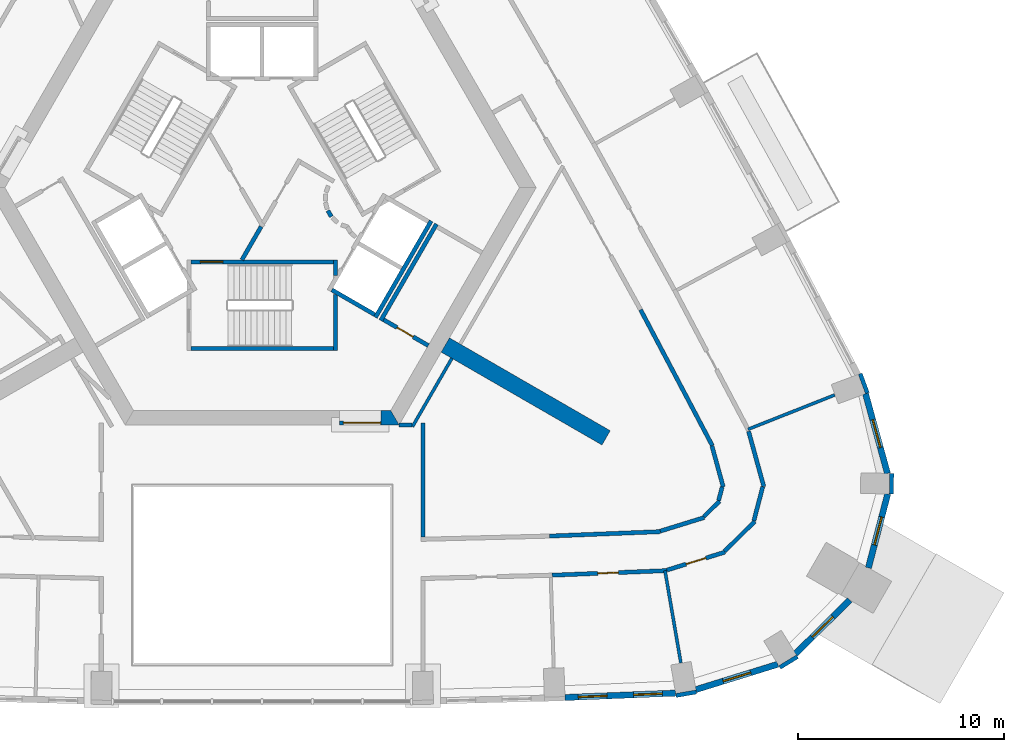
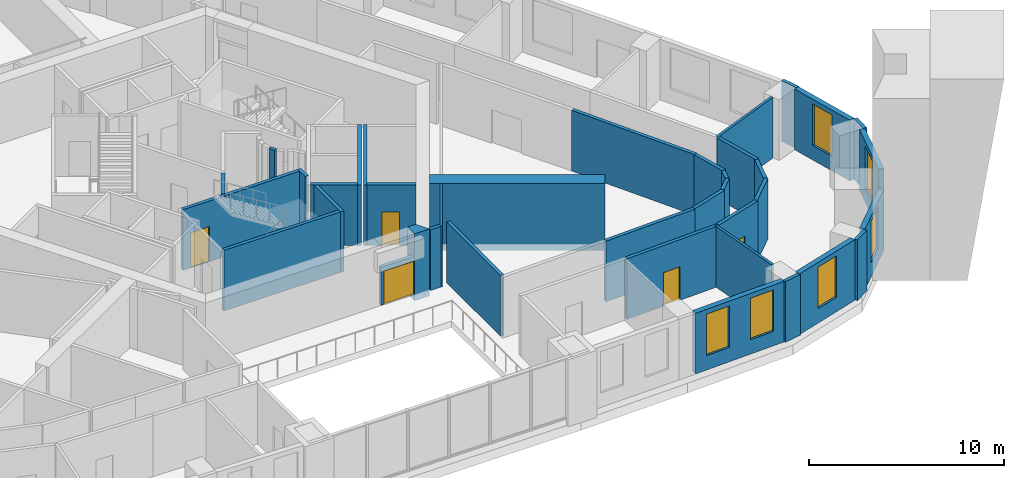
# One storey, part 6 of 13: 38 walls, 6 windows, 5 doors, 11 openings.
"""IFC4 building model written with IfcOpenShell, lengths in metres."""

from ifc_helpers import new_model, si_unit, direction, frame, frame_2d, origin, place, context, subcontext, project, spatial, polyline, rectangle, outline, extrude, material, layer, layer_set, type_object, element, fill, save


model = new_model("IFC4")

# Units and contexts
model_context = context("Model", 3, precision=1e-05, world=origin(), true_north=direction((0.0, 1.0)))
body_context = subcontext(model_context, "Body", "Model", "MODEL_VIEW")
ifc_project = project(units=[si_unit("LENGTHUNIT", "METRE"), si_unit("AREAUNIT", "SQUARE_METRE"), si_unit("VOLUMEUNIT", "CUBIC_METRE"), si_unit("PLANEANGLEUNIT", "RADIAN"), si_unit("MASSUNIT", "GRAM", prefix="KILO")], contexts=[model_context])

# Site, building, storey
site_placement = place(None, origin())
site = spatial("IfcSite", under=ifc_project, at=site_placement, CompositionType="ELEMENT")
building_placement = place(site_placement, origin())
building = spatial("IfcBuilding", under=site, at=building_placement, Name="Entoto Arch Interchange Tower", CompositionType="ELEMENT")
storey_placement = place(building_placement, frame((0.0, 0.0, 202.39990234375)))
storey = spatial("IfcBuildingStorey", under=building, at=storey_placement, Name="L45", CompositionType="ELEMENT", Elevation=202.39990234375)

# Wall
ifc_material_1 = material(Name="Concrete C50/60", Category="concrete")
ifc_layer_1 = layer(ifc_material_1, 0.800048828125)
ifc_layer_set_1 = layer_set([ifc_layer_1], Name="Concrete C50/60")
wall_type_1 = type_object("IfcWallType", Name="Buttress wall 800 C50/60", PredefinedType="SHEAR", material=ifc_layer_set_1)
wall_1_placement = place(storey_placement, frame((8.876953125, -5.125, -0.39990234375), z_axis=(0.0, 0.0, 1.0), x_axis=(0.866017533419, -0.500013631625, 0.0)))
element("IfcWall", 1, at=wall_1_placement, inside=storey, type_object=wall_type_1, Name="Buttress wall SE L45", PredefinedType="SHEAR", context=body_context, shape_type="SweptSolid", body=[
    extrude(rectangle(XDim=8.999755859375, YDim=0.800048828125, at=frame_2d((4.5, 0.0))), origin(), (0.0, 0.0, 1.0), 4.199951171875),
])

# Wall, opening, door
ifc_material_2 = material(Name="Reinforced concrete C40/50", Category="concrete")
ifc_layer_2 = layer(ifc_material_2, 0.199951171875)
ifc_layer_set_2 = layer_set([ifc_layer_2], Name="Reinforced concrete C40/50")
wall_type_2 = type_object("IfcWallType", Name="CORE GAP INFILL WALL", PredefinedType="PARTITIONING", material=ifc_layer_set_2)
wall_2_placement = place(storey_placement, frame((3.75, -8.89990234375, 0.0), z_axis=(0.0, 0.0, 1.0), x_axis=(1.0, 0.0, 0.0)))
wall_2 = element("IfcWall", 2, at=wall_2_placement, inside=storey, type_object=wall_type_2, Name="wall:L45:gap1", PredefinedType="PARTITIONING", context=body_context, shape_type="SweptSolid", body=[
    extrude(rectangle(XDim=2.0, YDim=0.199951171875, at=frame_2d((1.0, 0.0))), origin(), (0.0, 0.0, 1.0), 2.400146484375),
])
opening_1_placement = place(wall_2_placement, frame((0.18994140625, 0.0, 0.0)))
opening_1 = element("IfcOpeningElement", 3, at=opening_1_placement, cuts=wall_2, Name="Opening L45-D91", PredefinedType="OPENING", context=body_context, shape_type="SweptSolid", body=[
    extrude(rectangle(XDim=1.800048828125, YDim=2.10009765625, at=frame_2d((0.89990234375, 1.050048828125))), frame((0.0, 0.10986328125, 0.0), z_axis=(0.0, -1.0, 0.0), x_axis=(1.0, 0.0, 0.0)), (0.0, 0.0, 1.0), 0.219970703125),
])
ifc_material_3 = material(Name="Fire-rated Steel S235 door and frame", Category="steel")
door_type_1 = type_object("IfcDoorType", Name="DOOR FD-18 1800x2100", OperationType="DOUBLE_DOOR_SINGLE_SWING", PredefinedType="DOOR", material=ifc_material_3)
door_1_placement = place(opening_1_placement, origin())
door_1 = element("IfcDoor", 4, at=door_1_placement, inside=storey, type_object=door_type_1, Name="door:L45:gap1", OperationType="DOUBLE_DOOR_SINGLE_SWING", OverallHeight=2.10009765625, OverallWidth=1.800048828125, PredefinedType="DOOR", context=body_context, shape_type="SweptSolid", body=[
    extrude(rectangle(XDim=1.800048828125, YDim=2.10009765625, at=frame_2d((0.89990234375, 1.050048828125))), frame((0.0, 0.02490234375, 0.0), z_axis=(0.0, -1.0, 0.0), x_axis=(1.0, 0.0, 0.0)), (0.0, 0.0, 1.0), 0.050048828125),
])
fill(opening_1, door_1)

# Walls
ifc_layer_3 = layer(ifc_material_1, 0.699951171875)
ifc_layer_set_3 = layer_set([ifc_layer_3], Name="Concrete C50/60")
wall_type_3 = type_object("IfcWallType", Name="Core wall 700 C50/60", PredefinedType="SHEAR", material=ifc_layer_set_3)
wall_3_placement = place(storey_placement, frame((0.0, 0.0, -0.39990234375)))
element("IfcWall", 5, at=wall_3_placement, inside=storey, type_object=wall_type_3, Name="Core wall S L45", PredefinedType="SHEAR", context=body_context, shape_type="SweptSolid", body=[
    extrude(outline(polyline([(5.75, -8.300048828125), (5.75, -9.0), (6.639892578125, -9.0), (6.235107421875, -8.300048828125), (5.75, -8.300048828125)])), origin(), (0.0, 0.0, 1.0), 4.199951171875),
])
ifc_material_4 = material(Name="Concrete C40/50", Category="concrete")
ifc_layer_4 = layer(ifc_material_4, 0.199951171875)
ifc_layer_set_4 = layer_set([ifc_layer_4], Name="Concrete C40/50")
wall_type_4 = type_object("IfcWallType", Name="LIFT SHAFT WALL 200", PredefinedType="STANDARD", material=ifc_layer_set_4)
wall_4_placement = place(storey_placement, frame((5.491943359375, -3.7880859375, 0.0), z_axis=(0.0, 0.0, 1.0), x_axis=(0.500034260056, 0.866005622828, 0.0)))
element("IfcWall", 6, at=wall_4_placement, inside=storey, type_object=wall_type_4, Name="Shaft wall SE1 back", PredefinedType="STANDARD", context=body_context, shape_type="SweptSolid", body=[
    extrude(rectangle(XDim=5.3994140625, YDim=0.199951171875, at=frame_2d((2.69970703125, 0.0))), origin(), (0.0, 0.0, 1.0), 3.800048828125),
])
wall_5_placement = place(storey_placement, frame((3.376953125, -2.451904296875, 0.0), z_axis=(0.0, 0.0, 1.0), x_axis=(0.865955154139, -0.50012165622, 0.0)))
element("IfcWall", 7, at=wall_5_placement, inside=storey, type_object=wall_type_4, Name="Shaft wall SE1 cross 1", PredefinedType="STANDARD", context=body_context, shape_type="SweptSolid", body=[
    extrude(rectangle(XDim=2.39990234375, YDim=0.199951171875, at=frame_2d((1.199951171875, 0.0))), origin(), (0.0, 0.0, 1.0), 3.800048828125),
])
ifc_material_5 = material(Name="Gypsum board partition on steel studs", Category="steel")
ifc_layer_5 = layer(ifc_material_5, 0.14990234375)
ifc_layer_set_5 = layer_set([ifc_layer_5], Name="Gypsum board partition on steel studs")
wall_type_5 = type_object("IfcWallType", Name="PARTITION 150", PredefinedType="PARTITIONING", material=ifc_layer_set_5)
wall_6_placement = place(storey_placement, frame((7.282958984375, -9.0859375, 0.0), z_axis=(0.0, 0.0, 1.0), x_axis=(0.500035303972, 0.866005020067, 0.0)))
element("IfcWall", 8, at=wall_6_placement, inside=storey, type_object=wall_type_5, Name="wall:L45:p078", PredefinedType="PARTITIONING", context=body_context, shape_type="SweptSolid", body=[
    extrude(rectangle(XDim=3.827880859375, YDim=0.14990234375, at=frame_2d((1.9140625, 0.0))), origin(), (0.0, 0.0, 1.0), 3.800048828125),
])
wall_7_placement = place(storey_placement, frame((19.527099609375, -16.06494140625, 0.0), z_axis=(0.0, 0.0, 1.0), x_axis=(0.169437821314, -0.985540879268, 0.0)))
element("IfcWall", 9, at=wall_7_placement, inside=storey, type_object=wall_type_5, Name="wall:L45:p110", PredefinedType="PARTITIONING", context=body_context, shape_type="SweptSolid", body=[
    extrude(rectangle(XDim=4.531494140625, YDim=0.14990234375, at=frame_2d((2.265625, 0.0))), origin(), (0.0, 0.0, 1.0), 3.800048828125),
])
wall_8_placement = place(storey_placement, frame((23.552001953125, -9.2119140625, 0.0), z_axis=(0.0, 0.0, 1.0), x_axis=(0.929720624715, 0.368265610639, 0.0)))
element("IfcWall", 10, at=wall_8_placement, inside=storey, type_object=wall_type_5, Name="wall:L45:p111", PredefinedType="PARTITIONING", context=body_context, shape_type="SweptSolid", body=[
    extrude(rectangle(XDim=4.515380859375, YDim=0.14990234375, at=frame_2d((2.2578125, 0.0))), origin(), (0.0, 0.0, 1.0), 3.800048828125),
])
ifc_layer_6 = layer(ifc_material_5, 0.199951171875)
ifc_layer_set_6 = layer_set([ifc_layer_6], Name="Gypsum board partition on steel studs")
wall_type_6 = type_object("IfcWallType", Name="PARTITION 200", PredefinedType="PARTITIONING", material=ifc_layer_set_6)
wall_9_placement = place(storey_placement, frame((13.925048828125, -14.386962890625, 0.0), z_axis=(0.0, 0.0, 1.0), x_axis=(0.999202986342, 0.039917315597, 0.0)))
element("IfcWall", 11, at=wall_9_placement, inside=storey, type_object=wall_type_6, Name="wall:L45:p016", PredefinedType="PARTITIONING", context=body_context, shape_type="SweptSolid", body=[
    extrude(rectangle(XDim=5.38232421875, YDim=0.199951171875, at=frame_2d((2.691162109375, 0.0))), origin(), (0.0, 0.0, 1.0), 3.800048828125),
])
wall_10_placement = place(storey_placement, frame((19.299072265625, -14.14697265625, 0.0), z_axis=(0.0, 0.0, 1.0), x_axis=(0.955241047187, 0.295828568211, 0.0)))
element("IfcWall", 12, at=wall_10_placement, inside=storey, type_object=wall_type_6, Name="wall:L45:p017", PredefinedType="PARTITIONING", context=body_context, shape_type="SweptSolid", body=[
    extrude(rectangle(XDim=2.234130859375, YDim=0.199951171875, at=frame_2d((1.1171875, 0.0))), origin(), (0.0, 0.0, 1.0), 3.800048828125),
])
wall_11_placement = place(storey_placement, frame((21.407958984375, -13.445068359375, 0.0), z_axis=(0.0, 0.0, 1.0), x_axis=(0.711298443117, 0.702890122863, 0.0)))
element("IfcWall", 13, at=wall_11_placement, inside=storey, type_object=wall_type_6, Name="wall:L45:p018", PredefinedType="PARTITIONING", context=body_context, shape_type="SweptSolid", body=[
    extrude(rectangle(XDim=1.07421875, YDim=0.199951171875, at=frame_2d((0.537109375, 0.0))), origin(), (0.0, 0.0, 1.0), 3.800048828125),
])
wall_12_placement = place(storey_placement, frame((22.1259765625, -12.6640625, 0.0), z_axis=(0.0, 0.0, 1.0), x_axis=(0.253079435581, 0.967445501972, 0.0)))
element("IfcWall", 14, at=wall_12_placement, inside=storey, type_object=wall_type_6, Name="wall:L45:p019", PredefinedType="PARTITIONING", context=body_context, shape_type="SweptSolid", body=[
    extrude(rectangle(XDim=0.68017578125, YDim=0.199951171875, at=frame_2d((0.340087890625, 0.0))), origin(), (0.0, 0.0, 1.0), 3.800048828125),
])
wall_13_placement = place(storey_placement, frame((22.35009765625, -12.006103515625, 0.0), z_axis=(0.0, 0.0, 1.0), x_axis=(-0.265584627827, 0.964087550725, 0.0)))
element("IfcWall", 15, at=wall_13_placement, inside=storey, type_object=wall_type_6, Name="wall:L45:p020", PredefinedType="PARTITIONING", context=body_context, shape_type="SweptSolid", body=[
    extrude(rectangle(XDim=2.0673828125, YDim=0.199951171875, at=frame_2d((1.03369140625, 0.0))), origin(), (0.0, 0.0, 1.0), 3.800048828125),
])
wall_14_placement = place(storey_placement, frame((21.821044921875, -10.0048828125, 0.0), z_axis=(0.0, 0.0, 1.0), x_axis=(-0.466770012358, 0.884378739887, 0.0)))
element("IfcWall", 16, at=wall_14_placement, inside=storey, type_object=wall_type_6, Name="wall:L45:p021", PredefinedType="PARTITIONING", context=body_context, shape_type="SweptSolid", body=[
    extrude(rectangle(XDim=7.44921875, YDim=0.199951171875, at=frame_2d((3.724609375, 0.0))), origin(), (0.0, 0.0, 1.0), 3.800048828125),
])

# Wall, opening, door
wall_15_placement = place(storey_placement, frame((19.626953125, -16.06103515625, 0.0), z_axis=(0.0, 0.0, 1.0), x_axis=(-0.999206061563, -0.039840262741, 0.0)))
wall_15 = element("IfcWall", 17, at=wall_15_placement, inside=storey, type_object=wall_type_6, Name="wall:L45:p038", PredefinedType="PARTITIONING", context=body_context, shape_type="SweptSolid", body=[
    extrude(rectangle(XDim=5.5703125, YDim=0.199951171875, at=frame_2d((2.78515625, 0.0))), origin(), (0.0, 0.0, 1.0), 3.800048828125),
])
opening_2_placement = place(wall_15_placement, frame((2.360107421875, 0.0, 0.0)))
opening_2 = element("IfcOpeningElement", 18, at=opening_2_placement, cuts=wall_15, Name="Opening L45-D02", PredefinedType="OPENING", context=body_context, shape_type="SweptSolid", body=[
    extrude(rectangle(XDim=1.0, YDim=2.10009765625, at=frame_2d((0.5, 1.050048828125))), frame((0.0, 0.10986328125, 0.0), z_axis=(0.0, -1.0, 0.0), x_axis=(1.0, 0.0, 0.0)), (0.0, 0.0, 1.0), 0.219970703125),
])
ifc_material_6 = material(Name="Timber door leaf in Steel S235 frame", Category="steel")
door_type_2 = type_object("IfcDoorType", Name="DOOR DS-10 1000x2100", OperationType="SINGLE_SWING_LEFT", PredefinedType="DOOR", material=ifc_material_6)
door_2_placement = place(opening_2_placement, origin())
door_2 = element("IfcDoor", 19, at=door_2_placement, inside=storey, type_object=door_type_2, Name="door:L45:02", OperationType="SINGLE_SWING_LEFT", OverallHeight=2.10009765625, OverallWidth=1.0, PredefinedType="DOOR", context=body_context, shape_type="SweptSolid", body=[
    extrude(rectangle(XDim=1.0, YDim=2.10009765625, at=frame_2d((0.5, 1.050048828125))), frame((0.0, 0.02490234375, 0.0), z_axis=(0.0, -1.0, 0.0), x_axis=(1.0, 0.0, 0.0)), (0.0, 0.0, 1.0), 0.050048828125),
])
fill(opening_2, door_2)

# Walls
wall_16_placement = place(storey_placement, frame((23.577880859375, -9.30908203125, 0.0), z_axis=(0.0, 0.0, 1.0), x_axis=(0.265884037198, -0.964005020092, 0.0)))
element("IfcWall", 20, at=wall_16_placement, inside=storey, type_object=wall_type_6, Name="wall:L45:p039", PredefinedType="PARTITIONING", context=body_context, shape_type="SweptSolid", body=[
    extrude(rectangle(XDim=2.783935546875, YDim=0.199951171875, at=frame_2d((1.39208984375, 0.0))), origin(), (0.0, 0.0, 1.0), 3.800048828125),
])
wall_17_placement = place(storey_placement, frame((24.26611328125, -11.992919921875, 0.0), z_axis=(0.0, 0.0, 1.0), x_axis=(-0.253025690571, -0.967459559832, 0.0)))
element("IfcWall", 21, at=wall_17_placement, inside=storey, type_object=wall_type_6, Name="wall:L45:p040", PredefinedType="PARTITIONING", context=body_context, shape_type="SweptSolid", body=[
    extrude(rectangle(XDim=1.711669921875, YDim=0.199951171875, at=frame_2d((0.85595703125, 0.0))), origin(), (0.0, 0.0, 1.0), 3.800048828125),
])
wall_18_placement = place(storey_placement, frame((23.8779296875, -13.675048828125, 0.0), z_axis=(0.0, 0.0, 1.0), x_axis=(-0.710949827962, -0.703242733429, 0.0)))
element("IfcWall", 22, at=wall_18_placement, inside=storey, type_object=wall_type_6, Name="wall:L45:p041", PredefinedType="PARTITIONING", context=body_context, shape_type="SweptSolid", body=[
    extrude(rectangle(XDim=2.05908203125, YDim=0.199951171875, at=frame_2d((1.029541015625, 0.0))), origin(), (0.0, 0.0, 1.0), 3.800048828125),
])

# Wall, opening, door
wall_19_placement = place(storey_placement, frame((22.43798828125, -15.1630859375, 0.0), z_axis=(0.0, 0.0, 1.0), x_axis=(-0.955234616163, -0.295849333419, 0.0)))
wall_19 = element("IfcWall", 23, at=wall_19_placement, inside=storey, type_object=wall_type_6, Name="wall:L45:p042", PredefinedType="PARTITIONING", context=body_context, shape_type="SweptSolid", body=[
    extrude(rectangle(XDim=2.94677734375, YDim=0.199951171875, at=frame_2d((1.473388671875, 0.0))), origin(), (0.0, 0.0, 1.0), 3.800048828125),
])
opening_3_placement = place(wall_19_placement, frame((0.97412109375, 0.0, 0.0)))
opening_3 = element("IfcOpeningElement", 24, at=opening_3_placement, cuts=wall_19, Name="Opening L45-D03", PredefinedType="OPENING", context=body_context, shape_type="SweptSolid", body=[
    extrude(rectangle(XDim=1.0, YDim=2.10009765625, at=frame_2d((0.5, 1.050048828125))), frame((0.0, 0.10986328125, 0.0), z_axis=(0.0, -1.0, 0.0), x_axis=(1.0, 0.0, 0.0)), (0.0, 0.0, 1.0), 0.219970703125),
])
door_3_placement = place(opening_3_placement, origin())
door_3 = element("IfcDoor", 25, at=door_3_placement, inside=storey, type_object=door_type_2, Name="door:L45:03", OperationType="SINGLE_SWING_LEFT", OverallHeight=2.10009765625, OverallWidth=1.0, PredefinedType="DOOR", context=body_context, shape_type="SweptSolid", body=[
    extrude(rectangle(XDim=1.0, YDim=2.10009765625, at=frame_2d((0.5, 1.050048828125))), frame((0.0, 0.02490234375, 0.0), z_axis=(0.0, -1.0, 0.0), x_axis=(1.0, 0.0, 0.0)), (0.0, 0.0, 1.0), 0.050048828125),
])
fill(opening_3, door_3)

wall_20_placement = place(storey_placement, frame((8.052978515625, -5.152099609375, 0.0), z_axis=(0.0, 0.0, 1.0), x_axis=(-0.866022959057, 0.500004234368, 0.0)))
wall_20 = element("IfcWall", 26, at=wall_20_placement, inside=storey, type_object=wall_type_6, Name="wall:L45:p069", PredefinedType="PARTITIONING", context=body_context, shape_type="SweptSolid", body=[
    extrude(rectangle(XDim=2.5, YDim=0.199951171875, at=frame_2d((1.25, 0.0))), origin(), (0.0, 0.0, 1.0), 3.800048828125),
])
opening_4_placement = place(wall_20_placement, frame((0.85009765625, 0.0, 0.0)))
opening_4 = element("IfcOpeningElement", 27, at=opening_4_placement, cuts=wall_20, Name="Opening L45-D30", PredefinedType="OPENING", context=body_context, shape_type="SweptSolid", body=[
    extrude(rectangle(XDim=0.89990234375, YDim=2.10009765625, at=frame_2d((0.449951171875, 1.050048828125))), frame((0.0, 0.10986328125, 0.0), z_axis=(0.0, -1.0, 0.0), x_axis=(1.0, 0.0, 0.0)), (0.0, 0.0, 1.0), 0.219970703125),
])
door_type_3 = type_object("IfcDoorType", Name="DOOR DS-09 900x2100", OperationType="SINGLE_SWING_LEFT", PredefinedType="DOOR", material=ifc_material_6)
door_4_placement = place(opening_4_placement, origin())
door_4 = element("IfcDoor", 28, at=door_4_placement, inside=storey, type_object=door_type_3, Name="door:L45:30", OperationType="SINGLE_SWING_LEFT", OverallHeight=2.10009765625, OverallWidth=0.89990234375, PredefinedType="DOOR", context=body_context, shape_type="SweptSolid", body=[
    extrude(rectangle(XDim=0.89990234375, YDim=2.10009765625, at=frame_2d((0.449951171875, 1.050048828125))), frame((0.0, 0.02490234375, 0.0), z_axis=(0.0, -1.0, 0.0), x_axis=(1.0, 0.0, 0.0)), (0.0, 0.0, 1.0), 0.050048828125),
])
fill(opening_4, door_4)

# Walls
wall_21_placement = place(storey_placement, frame((5.7509765625, -3.93798828125, 0.0), z_axis=(0.0, 0.0, 1.0), x_axis=(0.500034260056, 0.866005622828, 0.0)))
element("IfcWall", 29, at=wall_21_placement, inside=storey, type_object=wall_type_6, Name="wall:L45:p070", PredefinedType="PARTITIONING", context=body_context, shape_type="SweptSolid", body=[
    extrude(rectangle(XDim=5.3994140625, YDim=0.199951171875, at=frame_2d((2.69970703125, 0.0))), origin(), (0.0, 0.0, 1.0), 3.800048828125),
])
wall_22_placement = place(storey_placement, frame((6.64111328125, -8.9990234375, 0.0), z_axis=(0.0, 0.0, 1.0), x_axis=(1.0, 0.0, 0.0)))
element("IfcWall", 30, at=wall_22_placement, inside=storey, type_object=wall_type_6, Name="wall:L45:p077", PredefinedType="PARTITIONING", context=body_context, shape_type="SweptSolid", body=[
    extrude(rectangle(XDim=0.616943359375, YDim=0.199951171875, at=frame_2d((0.30859375, 0.0))), origin(), (0.0, 0.0, 1.0), 3.800048828125),
])
wall_23_placement = place(storey_placement, frame((-0.98193359375, -1.0, 0.0), z_axis=(0.0, 0.0, 1.0), x_axis=(0.50024047865, 0.865886518847, 0.0)))
element("IfcWall", 31, at=wall_23_placement, inside=storey, type_object=wall_type_6, Name="wall:L45:p079", PredefinedType="PARTITIONING", context=body_context, shape_type="SweptSolid", body=[
    extrude(rectangle(XDim=1.86279296875, YDim=0.199951171875, at=frame_2d((0.931396484375, 0.0))), origin(), (0.0, 0.0, 1.0), 3.800048828125),
])
wall_24_placement = place(storey_placement, frame((3.181884765625, 1.387939453125, 0.0), z_axis=(0.0, 0.0, 1.0), x_axis=(0.512474702713, -0.85870232274, 0.0)))
element("IfcWall", 32, at=wall_24_placement, inside=storey, type_object=wall_type_6, Name="wall:L45:p085", PredefinedType="PARTITIONING", context=body_context, shape_type="SweptSolid", body=[
    extrude(rectangle(XDim=0.337646484375, YDim=0.199951171875, at=frame_2d((0.1689453125, 0.0))), origin(), (0.0, 0.0, 1.0), 3.800048828125),
])
wall_25_placement = place(storey_placement, frame((7.800048828125, -8.89892578125, 0.0), z_axis=(0.0, 0.0, 1.0), x_axis=(0.0, -1.0, 0.0)))
element("IfcWall", 33, at=wall_25_placement, inside=storey, type_object=wall_type_6, Name="wall:L45:p091", PredefinedType="PARTITIONING", context=body_context, shape_type="SweptSolid", body=[
    extrude(rectangle(XDim=5.5419921875, YDim=0.199951171875, at=frame_2d((2.77099609375, 0.0))), origin(), (0.0, 0.0, 1.0), 3.800048828125),
])
ifc_layer_7 = layer(ifc_material_4, 0.199951171875)
ifc_layer_set_7 = layer_set([ifc_layer_7], Name="Concrete C40/50")
wall_type_7 = type_object("IfcWallType", Name="STAIR ENCLOSURE WALL 200", PredefinedType="STANDARD", material=ifc_layer_set_7)
wall_26_placement = place(storey_placement, frame((3.550048828125, -2.6669921875, 0.0), z_axis=(0.0, 0.0, 1.0), x_axis=(0.0, -1.0, 0.0)))
element("IfcWall", 34, at=wall_26_placement, inside=storey, type_object=wall_type_7, Name="Stair wall ST-S far", PredefinedType="STANDARD", context=body_context, shape_type="SweptSolid", body=[
    extrude(rectangle(XDim=2.73291015625, YDim=0.199951171875, at=frame_2d((1.366455078125, 0.0))), origin(), (0.0, 0.0, 1.0), 3.800048828125),
])
wall_27_placement = place(storey_placement, frame((3.550048828125, -1.0, 0.0), z_axis=(0.0, 0.0, 1.0), x_axis=(0.0, -1.0, 0.0)))
element("IfcWall", 35, at=wall_27_placement, inside=storey, type_object=wall_type_7, Name="Stair wall ST-S far return", PredefinedType="STANDARD", context=body_context, shape_type="SweptSolid", body=[
    extrude(rectangle(XDim=0.7509765625, YDim=0.199951171875, at=frame_2d((0.37548828125, 0.0))), origin(), (0.0, 0.0, 1.0), 3.800048828125),
])

# Wall, opening, door
wall_28_placement = place(storey_placement, frame((-3.449951171875, -1.10009765625, 0.0), z_axis=(0.0, 0.0, 1.0), x_axis=(1.0, 0.0, 0.0)))
wall_28 = element("IfcWall", 36, at=wall_28_placement, inside=storey, type_object=wall_type_7, Name="Stair wall ST-S hall", PredefinedType="STANDARD", context=body_context, shape_type="SweptSolid", body=[
    extrude(rectangle(XDim=6.89990234375, YDim=0.199951171875, at=frame_2d((3.449951171875, 0.0))), origin(), (0.0, 0.0, 1.0), 3.800048828125),
])
opening_5_placement = place(wall_28_placement, frame((0.449951171875, 0.0, 0.0)))
opening_5 = element("IfcOpeningElement", 37, at=opening_5_placement, cuts=wall_28, Name="Opening SD-ST-S-L45", PredefinedType="OPENING", context=body_context, shape_type="SweptSolid", body=[
    extrude(rectangle(XDim=1.10009765625, YDim=2.199951171875, at=frame_2d((0.550048828125, 1.10009765625))), frame((0.0, 0.10986328125, 0.0), z_axis=(0.0, -1.0, 0.0), x_axis=(1.0, 0.0, 0.0)), (0.0, 0.0, 1.0), 0.219970703125),
])
ifc_material_7 = material(Name="Steel S235", Category="steel")
door_type_4 = type_object("IfcDoorType", Name="STAIR DOOR SD1 1100x2200", OperationType="SINGLE_SWING_LEFT", PredefinedType="DOOR", material=ifc_material_7)
door_5_placement = place(opening_5_placement, origin())
door_5 = element("IfcDoor", 38, at=door_5_placement, inside=storey, type_object=door_type_4, Name="Stair door ST-S L45", OperationType="SINGLE_SWING_LEFT", OverallHeight=2.199951171875, OverallWidth=1.10009765625, PredefinedType="DOOR", context=body_context, shape_type="SweptSolid", body=[
    extrude(rectangle(XDim=1.10009765625, YDim=2.199951171875, at=frame_2d((0.550048828125, 1.10009765625))), frame((0.0, 0.02490234375, 0.0), z_axis=(0.0, -1.0, 0.0), x_axis=(1.0, 0.0, 0.0)), (0.0, 0.0, 1.0), 0.050048828125),
])
fill(opening_5, door_5)

# Wall
wall_29_placement = place(storey_placement, frame((-3.449951171875, -5.300048828125, 0.0), z_axis=(0.0, 0.0, 1.0), x_axis=(1.0, 0.0, 0.0)))
element("IfcWall", 39, at=wall_29_placement, inside=storey, type_object=wall_type_7, Name="Stair wall ST-S back", PredefinedType="STANDARD", context=body_context, shape_type="SweptSolid", body=[
    extrude(rectangle(XDim=6.89990234375, YDim=0.199951171875, at=frame_2d((3.449951171875, 0.0))), origin(), (0.0, 0.0, 1.0), 3.800048828125),
])

# Wall, openings, windows
ifc_material_8 = material(Name="Welded tuff (ignimbrite) cladding, warm buff", Category="masonry")
ifc_layer_8 = layer(ifc_material_8, 0.300048828125)
ifc_layer_set_8 = layer_set([ifc_layer_8], Name="Welded tuff (ignimbrite) cladding, warm buff")
wall_type_8 = type_object("IfcWallType", Name="STONE INFILL WALL 300", PredefinedType="STANDARD", material=ifc_layer_set_8)
wall_30_placement = place(storey_placement, frame((14.678955078125, -22.212890625, 0.0), z_axis=(0.0, 0.0, 1.0), x_axis=(0.999205241612, 0.039860822062, 0.0)))
wall_30 = element("IfcWall", 40, at=wall_30_placement, inside=storey, type_object=wall_type_8, Name="Facade wall S-05 L45", PredefinedType="STANDARD", context=body_context, shape_type="SweptSolid", body=[
    extrude(rectangle(XDim=5.365234375, YDim=0.300048828125, at=frame_2d((2.6826171875, 0.0))), origin(), (0.0, 0.0, 1.0), 3.800048828125),
])
opening_6_placement = place(wall_30_placement, frame((0.64111328125, 0.0, 0.89990234375)))
opening_6 = element("IfcOpeningElement", 41, at=opening_6_placement, cuts=wall_30, Name="Opening WO-B", PredefinedType="OPENING", context=body_context, shape_type="SweptSolid", body=[
    extrude(rectangle(XDim=1.39990234375, YDim=2.60009765625, at=frame_2d((0.699951171875, 1.300048828125))), frame((0.0, 0.16015625, 0.0), z_axis=(0.0, -1.0, 0.0), x_axis=(1.0, 0.0, 0.0)), (0.0, 0.0, 1.0), 0.320068359375),
])
opening_7_placement = place(wall_30_placement, frame((3.323974609375, 0.0, 0.89990234375)))
opening_7 = element("IfcOpeningElement", 42, at=opening_7_placement, cuts=wall_30, Name="Opening WO-B", PredefinedType="OPENING", context=body_context, shape_type="SweptSolid", body=[
    extrude(rectangle(XDim=1.39990234375, YDim=2.60009765625, at=frame_2d((0.699951171875, 1.300048828125))), frame((0.0, 0.16015625, 0.0), z_axis=(0.0, -1.0, 0.0), x_axis=(1.0, 0.0, 0.0)), (0.0, 0.0, 1.0), 0.320068359375),
])
ifc_material_9 = material(Name="Clear glass, low-e double glazed", Category="glass")
window_type = type_object("IfcWindowType", Name="WINDOW WO-B 1400x2600", PartitioningType="DOUBLE_PANEL_VERTICAL", PredefinedType="WINDOW", material=ifc_material_9)
window_1_placement = place(opening_6_placement, origin())
window_1 = element("IfcWindow", 43, at=window_1_placement, inside=storey, type_object=window_type, Name="Window WO-B S-05 L45", OverallHeight=2.60009765625, OverallWidth=1.39990234375, PartitioningType="SINGLE_PANEL", PredefinedType="WINDOW", context=body_context, shape_type="SweptSolid", body=[
    extrude(rectangle(XDim=1.39990234375, YDim=2.60009765625, at=frame_2d((0.699951171875, 1.300048828125))), frame((0.0, 0.030029296875, 0.0), z_axis=(0.0, -1.0, 0.0), x_axis=(1.0, 0.0, 0.0)), (0.0, 0.0, 1.0), 0.06005859375),
])
fill(opening_6, window_1)
window_2_placement = place(opening_7_placement, origin())
window_2 = element("IfcWindow", 44, at=window_2_placement, inside=storey, type_object=window_type, Name="Window WO-B S-05 L45", OverallHeight=2.60009765625, OverallWidth=1.39990234375, PartitioningType="SINGLE_PANEL", PredefinedType="WINDOW", context=body_context, shape_type="SweptSolid", body=[
    extrude(rectangle(XDim=1.39990234375, YDim=2.60009765625, at=frame_2d((0.699951171875, 1.300048828125))), frame((0.0, 0.030029296875, 0.0), z_axis=(0.0, -1.0, 0.0), x_axis=(1.0, 0.0, 0.0)), (0.0, 0.0, 1.0), 0.06005859375),
])
fill(opening_7, window_2)

# Wall, opening, window
wall_31_placement = place(storey_placement, frame((21.02392578125, -21.830078125, 0.0), z_axis=(0.0, 0.0, 1.0), x_axis=(0.955247215067, 0.295808651171, 0.0)))
wall_31 = element("IfcWall", 45, at=wall_31_placement, inside=storey, type_object=wall_type_8, Name="Facade wall SE-01 L45", PredefinedType="STANDARD", context=body_context, shape_type="SweptSolid", body=[
    extrude(rectangle(XDim=4.161376953125, YDim=0.300048828125, at=frame_2d((2.08056640625, 0.0))), origin(), (0.0, 0.0, 1.0), 3.800048828125),
])
opening_8_placement = place(wall_31_placement, frame((1.381103515625, 0.0, 0.89990234375)))
opening_8 = element("IfcOpeningElement", 46, at=opening_8_placement, cuts=wall_31, Name="Opening WO-B", PredefinedType="OPENING", context=body_context, shape_type="SweptSolid", body=[
    extrude(rectangle(XDim=1.39990234375, YDim=2.60009765625, at=frame_2d((0.699951171875, 1.300048828125))), frame((0.0, 0.16015625, 0.0), z_axis=(0.0, -1.0, 0.0), x_axis=(1.0, 0.0, 0.0)), (0.0, 0.0, 1.0), 0.320068359375),
])
window_3_placement = place(opening_8_placement, origin())
window_3 = element("IfcWindow", 47, at=window_3_placement, inside=storey, type_object=window_type, Name="Window WO-B SE-01 L45", OverallHeight=2.60009765625, OverallWidth=1.39990234375, PartitioningType="SINGLE_PANEL", PredefinedType="WINDOW", context=body_context, shape_type="SweptSolid", body=[
    extrude(rectangle(XDim=1.39990234375, YDim=2.60009765625, at=frame_2d((0.699951171875, 1.300048828125))), frame((0.0, 0.030029296875, 0.0), z_axis=(0.0, -1.0, 0.0), x_axis=(1.0, 0.0, 0.0)), (0.0, 0.0, 1.0), 0.06005859375),
])
fill(opening_8, window_3)

wall_32_placement = place(storey_placement, frame((25.85498046875, -20.0869140625, 0.0), z_axis=(0.0, 0.0, 1.0), x_axis=(0.711316812334, 0.702871533419, 0.0)))
wall_32 = element("IfcWall", 48, at=wall_32_placement, inside=storey, type_object=wall_type_8, Name="Facade wall SE-02 L45", PredefinedType="STANDARD", context=body_context, shape_type="SweptSolid", body=[
    extrude(rectangle(XDim=3.7001953125, YDim=0.300048828125, at=frame_2d((1.85009765625, 0.0))), origin(), (0.0, 0.0, 1.0), 3.800048828125),
])
opening_9_placement = place(wall_32_placement, frame((1.14990234375, 0.0, 0.89990234375)))
opening_9 = element("IfcOpeningElement", 49, at=opening_9_placement, cuts=wall_32, Name="Opening WO-B", PredefinedType="OPENING", context=body_context, shape_type="SweptSolid", body=[
    extrude(rectangle(XDim=1.39990234375, YDim=2.60009765625, at=frame_2d((0.699951171875, 1.300048828125))), frame((0.0, 0.16015625, 0.0), z_axis=(0.0, -1.0, 0.0), x_axis=(1.0, 0.0, 0.0)), (0.0, 0.0, 1.0), 0.320068359375),
])
window_4_placement = place(opening_9_placement, origin())
window_4 = element("IfcWindow", 50, at=window_4_placement, inside=storey, type_object=window_type, Name="Window WO-B SE-02 L45", OverallHeight=2.60009765625, OverallWidth=1.39990234375, PartitioningType="SINGLE_PANEL", PredefinedType="WINDOW", context=body_context, shape_type="SweptSolid", body=[
    extrude(rectangle(XDim=1.39990234375, YDim=2.60009765625, at=frame_2d((0.699951171875, 1.300048828125))), frame((0.0, 0.030029296875, 0.0), z_axis=(0.0, -1.0, 0.0), x_axis=(1.0, 0.0, 0.0)), (0.0, 0.0, 1.0), 0.06005859375),
])
fill(opening_9, window_4)

wall_33_placement = place(storey_placement, frame((29.385986328125, -15.927978515625, 0.0), z_axis=(0.0, 0.0, 1.0), x_axis=(0.253200635583, 0.96741378848, 0.0)))
wall_33 = element("IfcWall", 51, at=wall_33_placement, inside=storey, type_object=wall_type_8, Name="Facade wall SE-03 L45", PredefinedType="STANDARD", context=body_context, shape_type="SweptSolid", body=[
    extrude(rectangle(XDim=3.70068359375, YDim=0.300048828125, at=frame_2d((1.850341796875, 0.0))), origin(), (0.0, 0.0, 1.0), 3.800048828125),
])
opening_10_placement = place(wall_33_placement, frame((1.14990234375, 0.0, 0.89990234375)))
opening_10 = element("IfcOpeningElement", 52, at=opening_10_placement, cuts=wall_33, Name="Opening WO-B", PredefinedType="OPENING", context=body_context, shape_type="SweptSolid", body=[
    extrude(rectangle(XDim=1.39990234375, YDim=2.60009765625, at=frame_2d((0.699951171875, 1.300048828125))), frame((0.0, 0.16015625, 0.0), z_axis=(0.0, -1.0, 0.0), x_axis=(1.0, 0.0, 0.0)), (0.0, 0.0, 1.0), 0.320068359375),
])
window_5_placement = place(opening_10_placement, origin())
window_5 = element("IfcWindow", 53, at=window_5_placement, inside=storey, type_object=window_type, Name="Window WO-B SE-03 L45", OverallHeight=2.60009765625, OverallWidth=1.39990234375, PartitioningType="SINGLE_PANEL", PredefinedType="WINDOW", context=body_context, shape_type="SweptSolid", body=[
    extrude(rectangle(XDim=1.39990234375, YDim=2.60009765625, at=frame_2d((0.699951171875, 1.300048828125))), frame((0.0, 0.030029296875, 0.0), z_axis=(0.0, -1.0, 0.0), x_axis=(1.0, 0.0, 0.0)), (0.0, 0.0, 1.0), 0.06005859375),
])
fill(opening_10, window_5)

wall_34_placement = place(storey_placement, frame((30.31201171875, -11.35009765625, 0.0), z_axis=(0.0, 0.0, 1.0), x_axis=(-0.265534577923, 0.96410133696, 0.0)))
wall_34 = element("IfcWall", 54, at=wall_34_placement, inside=storey, type_object=wall_type_8, Name="Facade wall SE-04 L45", PredefinedType="STANDARD", context=body_context, shape_type="SweptSolid", body=[
    extrude(rectangle(XDim=4.0068359375, YDim=0.300048828125, at=frame_2d((2.00341796875, 0.0))), origin(), (0.0, 0.0, 1.0), 3.800048828125),
])
opening_11_placement = place(wall_34_placement, frame((1.302978515625, 0.0, 0.89990234375)))
opening_11 = element("IfcOpeningElement", 55, at=opening_11_placement, cuts=wall_34, Name="Opening WO-B", PredefinedType="OPENING", context=body_context, shape_type="SweptSolid", body=[
    extrude(rectangle(XDim=1.39990234375, YDim=2.60009765625, at=frame_2d((0.699951171875, 1.300048828125))), frame((0.0, 0.16015625, 0.0), z_axis=(0.0, -1.0, 0.0), x_axis=(1.0, 0.0, 0.0)), (0.0, 0.0, 1.0), 0.320068359375),
])
window_6_placement = place(opening_11_placement, origin())
window_6 = element("IfcWindow", 56, at=window_6_placement, inside=storey, type_object=window_type, Name="Window WO-B SE-04 L45", OverallHeight=2.60009765625, OverallWidth=1.39990234375, PartitioningType="SINGLE_PANEL", PredefinedType="WINDOW", context=body_context, shape_type="SweptSolid", body=[
    extrude(rectangle(XDim=1.39990234375, YDim=2.60009765625, at=frame_2d((0.699951171875, 1.300048828125))), frame((0.0, 0.030029296875, 0.0), z_axis=(0.0, -1.0, 0.0), x_axis=(1.0, 0.0, 0.0)), (0.0, 0.0, 1.0), 0.06005859375),
])
fill(opening_11, window_6)

# Walls
ifc_layer_9 = layer(ifc_material_8, 0.199951171875)
ifc_layer_set_9 = layer_set([ifc_layer_9], Name="Welded tuff (ignimbrite) cladding, warm buff")
wall_type_9 = type_object("IfcWallType", Name="STONE PIER CLADDING 200", PredefinedType="STANDARD", material=ifc_layer_set_9)
wall_35_placement = place(storey_placement, frame((29.3359375, -7.4560546875, 0.0), z_axis=(0.0, 0.0, 1.0), x_axis=(-0.346892928577, 0.937904737222, 0.0)))
element("IfcWall", 57, at=wall_35_placement, inside=storey, type_object=wall_type_9, Name="Stone pier NE01 L45", PredefinedType="STANDARD", context=body_context, shape_type="SweptSolid", body=[
    extrude(rectangle(XDim=1.0, YDim=0.199951171875, at=frame_2d((0.5, 0.0))), origin(), (0.0, 0.0, 1.0), 3.800048828125),
])
wall_36_placement = place(storey_placement, frame((20.05908203125, -22.114013671875, 0.0), z_axis=(0.0, 0.0, 1.0), x_axis=(0.985631544579, 0.168909615862, 0.0)))
element("IfcWall", 58, at=wall_36_placement, inside=storey, type_object=wall_type_9, Name="Stone pier S06 L45", PredefinedType="STANDARD", context=body_context, shape_type="SweptSolid", body=[
    extrude(rectangle(XDim=1.000244140625, YDim=0.199951171875, at=frame_2d((0.5, 0.0))), origin(), (0.0, 0.0, 1.0), 3.800048828125),
])
wall_37_placement = place(storey_placement, frame((25.092041015625, -20.75390625, 0.0), z_axis=(0.0, 0.0, 1.0), x_axis=(0.853679739553, 0.520798331677, 0.0)))
element("IfcWall", 59, at=wall_37_placement, inside=storey, type_object=wall_type_9, Name="Stone pier SE1 L45", PredefinedType="STANDARD", context=body_context, shape_type="SweptSolid", body=[
    extrude(rectangle(XDim=1.00048828125, YDim=0.199951171875, at=frame_2d((0.500244140625, 0.0))), origin(), (0.0, 0.0, 1.0), 3.800048828125),
])
wall_38_placement = place(storey_placement, frame((30.4951171875, -12.35302734375, 0.0), z_axis=(0.0, 0.0, 1.0), x_axis=(0.023942303888, 0.999713341956, 0.0)))
element("IfcWall", 60, at=wall_38_placement, inside=storey, type_object=wall_type_9, Name="Stone pier SE3 L45", PredefinedType="STANDARD", context=body_context, shape_type="SweptSolid", body=[
    extrude(rectangle(XDim=0.999267578125, YDim=0.199951171875, at=frame_2d((0.49951171875, 0.0))), origin(), (0.0, 0.0, 1.0), 3.800048828125),
])

save(model, "model.ifc")
